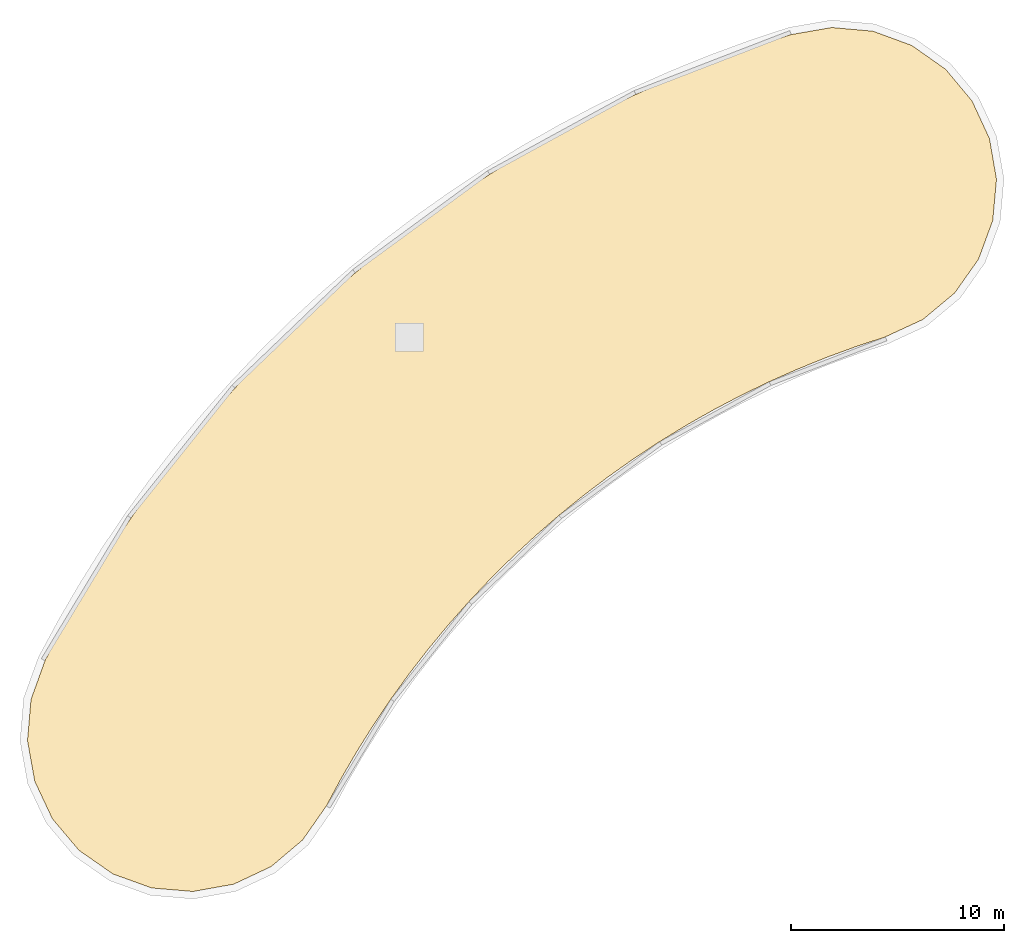
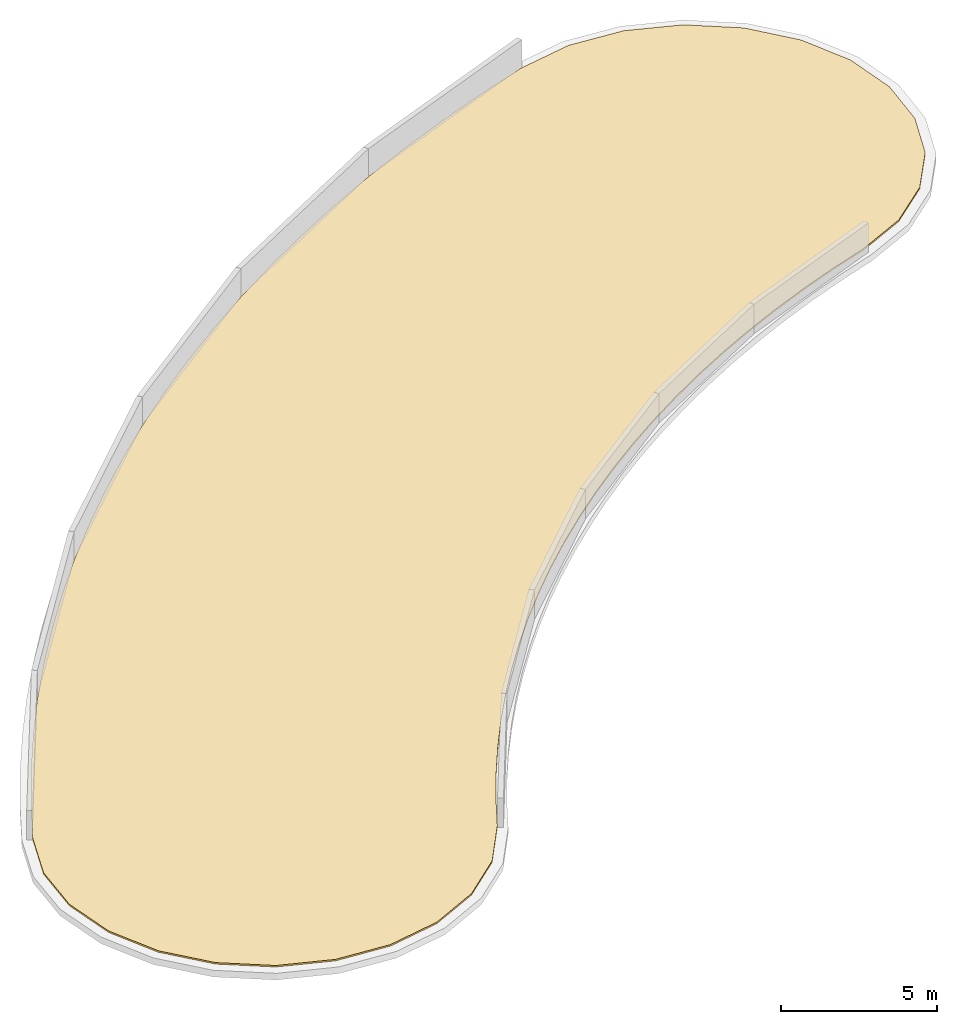
# One storey, part 2 of 2: 1 covering.
"""IFC4 building model written with IfcOpenShell, lengths in metres."""

from ifc_helpers import new_model, si_unit, direction, frame, origin, place, context, subcontext, project, spatial, polyline, outline, extrude, material, layer, layer_set, type_object, element, save


model = new_model("IFC4")

# Units and contexts
model_context = context("Model", 3, precision=1e-05, world=origin(), true_north=direction((0.0, 1.0)))
body_context = subcontext(model_context, "Body", "Model", "MODEL_VIEW")
ifc_project = project(units=[si_unit("LENGTHUNIT", "METRE"), si_unit("AREAUNIT", "SQUARE_METRE"), si_unit("VOLUMEUNIT", "CUBIC_METRE"), si_unit("PLANEANGLEUNIT", "RADIAN"), si_unit("MASSUNIT", "GRAM", prefix="KILO")], contexts=[model_context])

# Site, building, storey
site_placement = place(None, origin())
site = spatial("IfcSite", under=ifc_project, at=site_placement, CompositionType="ELEMENT")
building_placement = place(site_placement, origin())
building = spatial("IfcBuilding", under=site, at=building_placement, Name="Tanwirah Colonnade Gardens", CompositionType="ELEMENT")
storey_placement = place(building_placement, frame((0.0, 0.0, 52.52001953125)))
storey = spatial("IfcBuildingStorey", under=building, at=storey_placement, Name="RF", CompositionType="ELEMENT", Elevation=52.52001953125)

# Covering
ifc_material = material(Name="Reflective elastomeric membrane and rigid roof insulation")
ifc_layer = layer(ifc_material, 0.06005859375)
ifc_layer_set = layer_set([ifc_layer], Name="Reflective elastomeric membrane and rigid roof insulation")
covering_type = type_object("IfcCoveringType", Name="COV-ROOF60", PredefinedType="ROOFING", material=ifc_layer_set)
covering_placement = place(storey_placement, origin())
element("IfcCovering", 1, at=covering_placement, inside=storey, type_object=covering_type, Name="Block A Insulated Roof Membrane Covering", PredefinedType="ROOFING", context=body_context, shape_type="SweptSolid", body=[
    extrude(outline(polyline([(53.490478515625, 103.546142578125), (51.70263671875, 102.71875), (50.338134765625, 102.26806640625), (50.3271484375, 102.264404296875), (48.95947265625, 101.761962890625), (48.94873046875, 101.7578125), (47.59814453125, 101.210693359375), (47.587646484375, 101.206298828125), (46.255859375, 100.61474609375), (46.245361328125, 100.60986328125), (44.93408203125, 99.97509765625), (44.923583984375, 99.9697265625), (43.6337890625, 99.2919921875), (43.623779296875, 99.286376953125), (42.35693359375, 98.566650390625), (42.346923828125, 98.560546875), (41.104736328125, 97.79931640625), (41.094970703125, 97.793212890625), (39.87841796875, 96.9912109375), (39.86865234375, 96.98486328125), (38.67919921875, 96.143310546875), (38.669921875, 96.136474609375), (37.5087890625, 95.256103515625), (37.499755859375, 95.2490234375), (36.3681640625, 94.3310546875), (36.359375, 94.323486328125), (35.2587890625, 93.36865234375), (35.250244140625, 93.36083984375), (34.181640625, 92.370361328125), (34.17333984375, 92.3623046875), (33.137939453125, 91.337158203125), (33.1298828125, 91.328857421875), (32.129150390625, 90.27001953125), (32.121337890625, 90.261474609375), (31.15576171875, 89.170166015625), (31.148193359375, 89.161376953125), (30.21923828125, 88.038818359375), (30.212158203125, 88.02978515625), (29.320556640625, 86.877197265625), (29.313720703125, 86.867919921875), (28.460693359375, 85.686767578125), (28.4541015625, 85.67724609375), (27.640380859375, 84.468505859375), (27.634033203125, 84.458740234375), (26.86083984375, 83.223876953125), (26.854736328125, 83.214111328125), (26.12255859375, 81.954345703125), (26.116943359375, 81.944091796875), (25.436279296875, 80.6787109375), (24.310791015625, 79.0615234375), (22.8251953125, 77.8076171875), (21.065673828125, 76.98095703125), (19.15234375, 76.6376953125), (17.215087890625, 76.801513671875), (15.386474609375, 77.461181640625), (13.790771484375, 78.571533203125), (12.53662109375, 80.05712890625), (11.7099609375, 81.816650390625), (11.366943359375, 83.730224609375), (11.53076171875, 85.667236328125), (12.197021484375, 87.51513671875), (13.115966796875, 89.223388671875), (14.100830078125, 90.917724609375), (15.14111328125, 92.578857421875), (16.2353515625, 94.20458984375), (17.3828125, 95.79345703125), (18.581787109375, 97.34375), (19.831298828125, 98.853515625), (21.1298828125, 100.3212890625), (22.476318359375, 101.74560546875), (23.86865234375, 103.12451171875), (25.305908203125, 104.45703125), (26.786376953125, 105.7412109375), (28.30810546875, 106.97607421875), (29.869873046875, 108.16015625), (31.4697265625, 109.2919921875), (33.106201171875, 110.37060546875), (34.777099609375, 111.39453125), (36.481201171875, 112.36279296875), (38.2158203125, 113.274658203125), (39.97998046875, 114.128662109375), (41.77099609375, 114.924072265625), (43.58740234375, 115.659912109375), (45.427001953125, 116.33544921875), (47.26904296875, 116.94384765625), (49.204345703125, 117.279296875), (51.140625, 117.104248046875), (52.965576171875, 116.43408203125), (54.5546875, 115.314453125), (55.800048828125, 113.821533203125), (56.616455078125, 112.05712890625), (56.948486328125, 110.141845703125), (56.7734375, 108.20556640625), (56.103271484375, 106.380615234375), (54.9833984375, 104.79150390625), (53.490478515625, 103.546142578125)])), origin(), (0.0, 0.0, 1.0), 0.06005859375),
])

save(model, "model.ifc")
